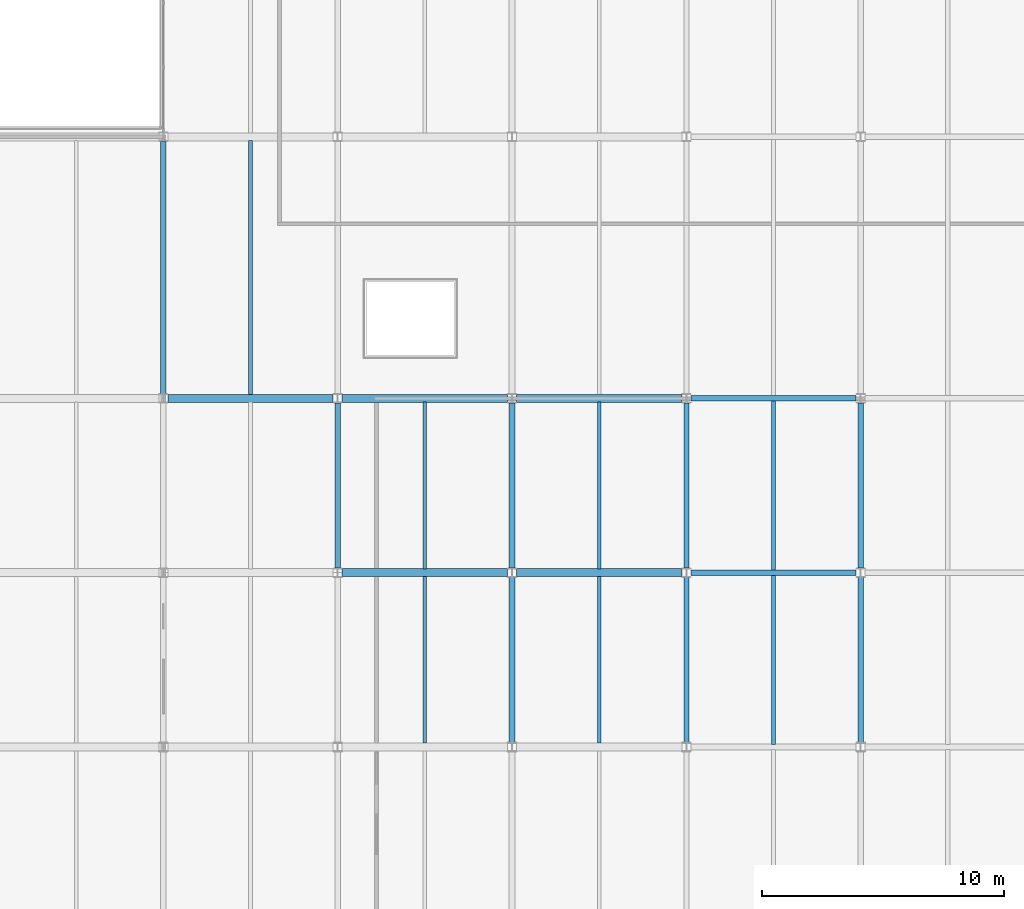
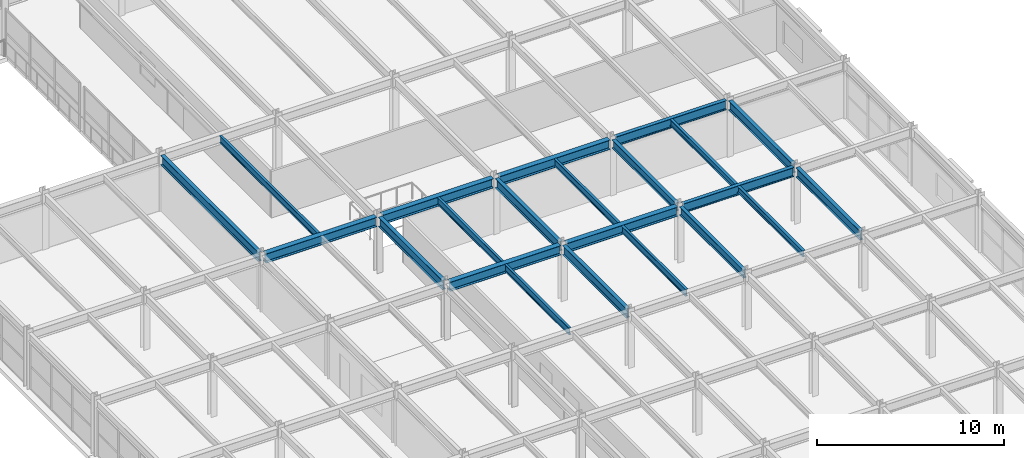
# One storey, part 35 of 93: 22 beams.
"""IFC4 building model written with IfcOpenShell, lengths in metres."""

import ifcopenshell
import ifcopenshell.guid

model = None  # the IFC model being written
_history = None  # IfcOwnerHistory: only IFC2X3 demands one
_inside = {}  # id of a spatial element -> (the spatial element, [elements in it])
_under = {}  # id of a project, library or spatial element -> (it, [spatial elements below it])
_declared = {}  # id of a project -> (the project, [libraries it declares])
_typed = {}  # id of a type object -> (the type object, [elements of that type])
_made_of = {}  # id of a material, layer set ... -> (it, [elements and type objects made of it])


def new_model(schema):
    """Start an empty IFC model of exactly this schema.

    Asked for "IFC4X3", IfcOpenShell would pick the latest addendum, in which some entities
    have other attributes; the version numbers below select the first issue.
    IFC2X3 requires an IfcOwnerHistory on every rooted entity: one is made here for all.
    """
    global model, _history
    if schema == "IFC4X3":
        model = ifcopenshell.file(schema_version=(4, 3, 0, 0))
    else:
        model = ifcopenshell.file(schema=schema)
    _inside.clear()
    _under.clear()
    _declared.clear()
    _typed.clear()
    _made_of.clear()
    _history = None
    if model.schema == "IFC2X3":
        org = make("IfcOrganization", Name="unknown")
        user = make(
            "IfcPersonAndOrganization",
            ThePerson=make("IfcPerson", FamilyName="unknown"),
            TheOrganization=org,
        )
        app = make(
            "IfcApplication",
            ApplicationDeveloper=org,
            Version="unknown",
            ApplicationFullName="unknown",
            ApplicationIdentifier="unknown",
        )
        _history = make(
            "IfcOwnerHistory",
            OwningUser=user,
            OwningApplication=app,
            ChangeAction="ADDED",
            CreationDate=0,
        )
    return model


def make(cls, **values):
    """One entity of the class cls with the attributes given. An attribute that is None is left unset."""
    return model.create_entity(
        cls, **{name: value for name, value in values.items() if value is not None}
    )


def rooted(cls, **values):
    """An entity with a GlobalId (a new one), such as an element, a storey or a relation."""
    return make(cls, GlobalId=ifcopenshell.guid.new(), OwnerHistory=_history, **values)


def si_unit(unit_type, name, prefix=None):
    """IfcSIUnit, for example si_unit("LENGTHUNIT", "METRE", prefix="MILLI")."""
    return make("IfcSIUnit", UnitType=unit_type, Prefix=prefix, Name=name)


def assignment(units):
    """IfcUnitAssignment: the units of a project."""
    return None if units is None else make("IfcUnitAssignment", Units=units)


def point(xyz):
    """IfcCartesianPoint."""
    return None if xyz is None else make("IfcCartesianPoint", Coordinates=xyz)


def direction(xyz):
    """IfcDirection."""
    return None if xyz is None else make("IfcDirection", DirectionRatios=xyz)


def frame(location, z_axis=None, x_axis=None):
    """IfcAxis2Placement3D, a coordinate frame: its origin and axes. An axis left out is left unset."""
    return make(
        "IfcAxis2Placement3D",
        Location=point(location),
        Axis=direction(z_axis),
        RefDirection=direction(x_axis),
    )


def frame_2d(location, x_axis=None):
    """IfcAxis2Placement2D, a coordinate frame in the plane: its origin and x axis."""
    return make(
        "IfcAxis2Placement2D", Location=point(location), RefDirection=direction(x_axis)
    )


def origin():
    """The frame at (0, 0, 0) with its axes left unset."""
    return frame((0.0, 0.0, 0.0))


def origin_2d():
    """The frame at (0, 0) in the plane with its x axis left unset."""
    return frame_2d((0.0, 0.0))


def place(relative_to, where):
    """IfcLocalPlacement: puts the frame where relative to a parent placement (None: the world)."""
    return make(
        "IfcLocalPlacement", PlacementRelTo=relative_to, RelativePlacement=where
    )


def context(
    kind, dimensions, precision=None, world=None, true_north=None, identifier=None
):
    """IfcGeometricRepresentationContext, for example the 3D "Model" context."""
    return make(
        "IfcGeometricRepresentationContext",
        ContextIdentifier=identifier,
        ContextType=kind,
        CoordinateSpaceDimension=dimensions,
        Precision=precision,
        WorldCoordinateSystem=world,
        TrueNorth=true_north,
    )


def subcontext(parent, identifier, kind, view, scale=None):
    """IfcGeometricRepresentationSubContext, for example "Body" below "Model"."""
    return make(
        "IfcGeometricRepresentationSubContext",
        ContextIdentifier=identifier,
        ContextType=kind,
        ParentContext=parent,
        TargetScale=scale,
        TargetView=view,
    )


def project(units=None, contexts=None):
    """IfcProject with its units and contexts."""
    return rooted(
        "IfcProject",
        Name="project",
        RepresentationContexts=contexts,
        UnitsInContext=assignment(units),
    )


def spatial(cls, under=None, at=None, **own):
    """A site, building, storey or space (cls), placed at a placement, below another one or the project."""
    s = rooted(cls, ObjectPlacement=at, **own)
    if under is not None:
        _under.setdefault(under.id(), (under, []))[1].append(s)
    return s


def profile(cls, at=None, kind="AREA", **sizes):
    """A parametric profile (cls). Its sizes go by their IFC names, for example OverallWidth=200.0."""
    return make(cls, ProfileType=kind, Position=at, **sizes)


def i_section(**sizes):
    """IfcIShapeProfileDef."""
    return profile("IfcIShapeProfileDef", **sizes)


def extrude(swept, where, along, depth):
    """IfcExtrudedAreaSolid: the profile swept, set in the frame where, extruded along a direction by depth."""
    return make(
        "IfcExtrudedAreaSolid",
        SweptArea=swept,
        Position=where,
        ExtrudedDirection=direction(along),
        Depth=depth,
    )


def shape(context_of_items, identifier, shape_type, items):
    """IfcShapeRepresentation: the items that make up one representation, for example the "Body"."""
    return make(
        "IfcShapeRepresentation",
        ContextOfItems=context_of_items,
        RepresentationIdentifier=identifier,
        RepresentationType=shape_type,
        Items=items,
    )


def material(Name=None, Category=None):
    """IfcMaterial."""
    return make("IfcMaterial", Name=Name, Category=Category)


def material_profile(
    of_material, cross_section, Name=None, Category=None, Priority=None
):
    """IfcMaterialProfile: a cross section and its material."""
    return make(
        "IfcMaterialProfile",
        Name=Name,
        Material=of_material,
        Profile=cross_section,
        Priority=Priority,
        Category=Category,
    )


def profile_set(profiles, Name=None, composite=None):
    """IfcMaterialProfileSet."""
    return make(
        "IfcMaterialProfileSet",
        Name=Name,
        MaterialProfiles=profiles,
        CompositeProfile=composite,
    )


def made_of(thing, what):
    """Note that an element or type object is made of a material, layer set ...; save() writes the relation."""
    if what is not None:
        _made_of.setdefault(what.id(), (what, []))[1].append(thing)
    return thing


def type_object(cls, material=None, **own):
    """A type object (cls), such as IfcWallType, which elements share."""
    return made_of(rooted(cls, **own), material)


def element(
    cls,
    number,
    at=None,
    inside=None,
    cuts=None,
    type_object=None,
    material=None,
    context=None,
    identifier="Body",
    shape_type=None,
    held_by="IfcProductDefinitionShape",
    body=None,
    shapes=None,
    **own,
):
    """One element of the class cls, such as IfcWall. Its Tag is "e" and its number.

    at: its placement. inside: the storey or other place that contains it. cuts: it is an
    opening in that element (IfcRelVoidsElement). A single representation is given by context,
    identifier, shape_type and body (its items); several are given by shapes. held_by: the class
    of the entity that holds the representations. save() writes the other relations.
    """
    e = rooted(cls, Tag="e%d" % number, ObjectPlacement=at, **own)
    if body is not None:
        shapes = [shape(context, identifier, shape_type, body)]
    if shapes is not None:
        e.Representation = make(held_by, Representations=shapes)
    if inside is not None:
        _inside.setdefault(inside.id(), (inside, []))[1].append(e)
    if cuts is not None:
        rooted(
            "IfcRelVoidsElement", RelatingBuildingElement=cuts, RelatedOpeningElement=e
        )
    if type_object is not None:
        _typed.setdefault(type_object.id(), (type_object, []))[1].append(e)
    return made_of(e, material)


def aggregate(whole, parts):
    """IfcRelAggregates: a whole, such as a stair, and the parts it consists of."""
    return rooted("IfcRelAggregates", RelatingObject=whole, RelatedObjects=parts)


def save(model, path):
    """Write the relations noted so far, then the file.

    IfcRelAggregates (storeys below a building ...), IfcRelContainedInSpatialStructure (elements
    in a storey), IfcRelDefinesByType, IfcRelAssociatesMaterial and IfcRelDeclares: one each for
    every whole, place, type object, material and project.
    """
    for whole, parts in _under.values():
        aggregate(whole, parts)
    for where, things in _inside.values():
        rooted(
            "IfcRelContainedInSpatialStructure",
            RelatedElements=things,
            RelatingStructure=where,
        )
    for kind, things in _typed.values():
        rooted("IfcRelDefinesByType", RelatedObjects=things, RelatingType=kind)
    for what, things in _made_of.values():
        rooted("IfcRelAssociatesMaterial", RelatedObjects=things, RelatingMaterial=what)
    for by, libraries in _declared.values():
        rooted("IfcRelDeclares", RelatingContext=by, RelatedDefinitions=libraries)
    model.write(path)


model = new_model("IFC4")

# Units and contexts
model_context = context("Model", 3, precision=1e-05, world=origin(), true_north=direction((0.0, 1.0)))
body_context = subcontext(model_context, "Body", "Model", "MODEL_VIEW")
ifc_project = project(units=[si_unit("LENGTHUNIT", "METRE"), si_unit("AREAUNIT", "SQUARE_METRE"), si_unit("VOLUMEUNIT", "CUBIC_METRE"), si_unit("PLANEANGLEUNIT", "RADIAN"), si_unit("MASSUNIT", "GRAM", prefix="KILO")], contexts=[model_context])

# Site, building, storey
site_placement = place(None, origin())
site = spatial("IfcSite", under=ifc_project, at=site_placement, CompositionType="ELEMENT")
building_placement = place(site_placement, origin())
building = spatial("IfcBuilding", under=site, at=building_placement, Name="Vaelcorin Mobility Hub", CompositionType="ELEMENT")
storey_placement = place(building_placement, frame((0.0, 0.0, 5.39990234375)))
storey = spatial("IfcBuildingStorey", under=building, at=storey_placement, Name="L01", CompositionType="ELEMENT", Elevation=5.39990234375)

# Beams
ifc_material = material(Name="Steel ASTM A992 Grade 50", Category="steel")
ifc_material_profile_1 = material_profile(ifc_material, i_section(OverallWidth=0.177978515625, OverallDepth=0.404052734375, WebThickness=0.007568359375, FlangeThickness=0.010986328125, FilletRadius=0.012939453125, at=origin_2d()), Name="W16X36")
ifc_profile_set_1 = profile_set([ifc_material_profile_1], Name="Steel ASTM A992 Grade 50")
beam_type_1 = type_object("IfcBeamType", Name="BM-W16X36", PredefinedType="JOIST", material=ifc_profile_set_1)
for number, where, z_axis, x_axis, name in (
    (1, (193.199951171875, 34.912109375, 3.498046875), (0.0, 1.0, 0.0), (-1.0, 0.0, 0.0), "L01 Beam V5E-L01-J-01-05-1"),
    (2, (193.199951171875, 42.112060546875, 3.498046875), (0.0, 1.0, 0.0), (-1.0, 0.0, 0.0), "L01 Beam V5E-L01-J-01-06-1"),
):
    element("IfcBeam", number, at=place(storey_placement, frame(where, z_axis=z_axis, x_axis=x_axis)), inside=storey, type_object=beam_type_1, Name=name, PredefinedType="JOIST", context=body_context, shape_type="SweptSolid", body=[
        extrude(i_section(OverallWidth=0.177978515625, OverallDepth=0.404052734375, WebThickness=0.007568359375, FlangeThickness=0.010986328125, FilletRadius=0.012939453125, at=origin_2d()), origin(), (0.0, 0.0, 1.0), 6.975830078125),
    ])
ifc_material_profile_2 = material_profile(ifc_material, i_section(OverallWidth=0.152099609375, OverallDepth=0.455078125, WebThickness=0.008056640625, FlangeThickness=0.01318359375, FilletRadius=0.012939453125, at=origin_2d()), Name="W18X40")
ifc_profile_set_2 = profile_set([ifc_material_profile_2], Name="Steel ASTM A992 Grade 50")
beam_type_2 = type_object("IfcBeamType", Name="BM-W18X40", PredefinedType="JOIST", material=ifc_profile_set_2)
beam_1_placement = place(storey_placement, frame((171.60009765625, 49.360107421875, 3.443115234375), z_axis=(0.0, 1.0, 0.0), x_axis=(-1.0, 0.0, 0.0)))
element("IfcBeam", 3, at=beam_1_placement, inside=storey, type_object=beam_type_2, Name="L01 Beam V5-L01-J-03-07-1", PredefinedType="JOIST", context=body_context, shape_type="SweptSolid", body=[
    extrude(i_section(OverallWidth=0.152099609375, OverallDepth=0.455078125, WebThickness=0.008056640625, FlangeThickness=0.01318359375, FilletRadius=0.012939453125, at=origin_2d()), origin(), (0.0, 0.0, 1.0), 10.47998046875),
])
for number, where, z_axis, x_axis, name in (
    (4, (178.800048828125, 34.9599609375, 3.443115234375), (0.0, 1.0, 0.0), (-1.0, 0.0, 0.0), "L01 Beam V5-L01-J-04-05-1"),
    (5, (178.800048828125, 42.159912109375, 3.443115234375), (0.0, 1.0, 0.0), (-1.0, 0.0, 0.0), "L01 Beam V5-L01-J-04-06-1"),
    (6, (186.0, 34.9599609375, 3.443115234375), (0.0, 1.0, 0.0), (-1.0, 0.0, 0.0), "L01 Beam V5-L01-J-05-05-1"),
    (7, (186.0, 42.159912109375, 3.443115234375), (0.0, 1.0, 0.0), (-1.0, 0.0, 0.0), "L01 Beam V5-L01-J-05-06-1"),
):
    element("IfcBeam", number, at=place(storey_placement, frame(where, z_axis=z_axis, x_axis=x_axis)), inside=storey, type_object=beam_type_2, Name=name, PredefinedType="JOIST", context=body_context, shape_type="SweptSolid", body=[
        extrude(i_section(OverallWidth=0.152099609375, OverallDepth=0.455078125, WebThickness=0.008056640625, FlangeThickness=0.01318359375, FilletRadius=0.012939453125, at=origin_2d()), origin(), (0.0, 0.0, 1.0), 6.880126953125),
    ])
ifc_material_profile_3 = material_profile(ifc_material, i_section(OverallWidth=0.2099609375, OverallDepth=0.535888671875, WebThickness=0.010986328125, FlangeThickness=0.017333984375, FilletRadius=0.013916015625, at=origin_2d()), Name="W21X68")
ifc_profile_set_3 = profile_set([ifc_material_profile_3], Name="Steel ASTM A992 Grade 50")
beam_type_3 = type_object("IfcBeamType", Name="BM-W21X68", PredefinedType="SPANDREL", material=ifc_profile_set_3)
for number, where, z_axis, x_axis, name in (
    (8, (189.60009765625, 34.98388671875, 3.402099609375), (0.0, 1.0, 0.0), (-1.0, 0.0, 0.0), "L01 Beam V5-L01-GY-06-05"),
    (9, (189.60009765625, 42.18408203125, 3.402099609375), (0.0, 1.0, 0.0), (-1.0, 0.0, 0.0), "L01 Beam V5-L01-GY-06-06"),
):
    element("IfcBeam", number, at=place(storey_placement, frame(where, z_axis=z_axis, x_axis=x_axis)), inside=storey, type_object=beam_type_3, Name=name, PredefinedType="SPANDREL", context=body_context, shape_type="SweptSolid", body=[
        extrude(i_section(OverallWidth=0.2099609375, OverallDepth=0.535888671875, WebThickness=0.010986328125, FlangeThickness=0.017333984375, FilletRadius=0.013916015625, at=origin_2d()), origin(), (0.0, 0.0, 1.0), 6.83203125),
    ])
ifc_material_profile_4 = material_profile(ifc_material, i_section(OverallWidth=0.324951171875, OverallDepth=0.612060546875, WebThickness=0.0126953125, FlangeThickness=0.01904296875, FilletRadius=0.014892578125, at=origin_2d()), Name="W24X104")
ifc_profile_set_4 = profile_set([ifc_material_profile_4], Name="Steel ASTM A992 Grade 50")
beam_type_4 = type_object("IfcBeamType", Name="BM-W24X104", PredefinedType="BEAM", material=ifc_profile_set_4)
beam_2_placement = place(storey_placement, frame((175.384033203125, 42.0, 3.364013671875), z_axis=(1.0, 0.0, 0.0), x_axis=(0.0, 1.0, 0.0)))
element("IfcBeam", 10, at=beam_2_placement, inside=storey, type_object=beam_type_4, Name="L01 Beam V5-L01-GX-06-04", PredefinedType="BEAM", context=body_context, shape_type="SweptSolid", body=[
    extrude(i_section(OverallWidth=0.324951171875, OverallDepth=0.612060546875, WebThickness=0.0126953125, FlangeThickness=0.01904296875, FilletRadius=0.014892578125, at=origin_2d()), origin(), (0.0, 0.0, 1.0), 6.83203125),
])
beam_3_placement = place(storey_placement, frame((182.5849609375, 42.0, 3.364013671875), z_axis=(1.0, 0.0, 0.0), x_axis=(0.0, 1.0, 0.0)))
element("IfcBeam", 11, at=beam_3_placement, inside=storey, type_object=beam_type_4, Name="L01 Beam V5-L01-GX-06-05", PredefinedType="BEAM", context=body_context, shape_type="SweptSolid", body=[
    extrude(i_section(OverallWidth=0.324951171875, OverallDepth=0.612060546875, WebThickness=0.0126953125, FlangeThickness=0.01904296875, FilletRadius=0.014892578125, at=origin_2d()), origin(), (0.0, 0.0, 1.0), 6.830078125),
])
beam_4_placement = place(storey_placement, frame((168.18408203125, 49.199951171875, 3.364013671875), z_axis=(1.0, 0.0, 0.0), x_axis=(0.0, 1.0, 0.0)))
element("IfcBeam", 12, at=beam_4_placement, inside=storey, type_object=beam_type_4, Name="L01 Beam V5-L01-GX-07-03", PredefinedType="BEAM", context=body_context, shape_type="SweptSolid", body=[
    extrude(i_section(OverallWidth=0.324951171875, OverallDepth=0.612060546875, WebThickness=0.0126953125, FlangeThickness=0.01904296875, FilletRadius=0.014892578125, at=origin_2d()), origin(), (0.0, 0.0, 1.0), 6.830810546875),
])
beam_5_placement = place(storey_placement, frame((175.384033203125, 49.199951171875, 3.364013671875), z_axis=(1.0, 0.0, 0.0), x_axis=(0.0, 1.0, 0.0)))
element("IfcBeam", 13, at=beam_5_placement, inside=storey, type_object=beam_type_4, Name="L01 Beam V5-L01-GX-07-04", PredefinedType="BEAM", context=body_context, shape_type="SweptSolid", body=[
    extrude(i_section(OverallWidth=0.324951171875, OverallDepth=0.612060546875, WebThickness=0.0126953125, FlangeThickness=0.01904296875, FilletRadius=0.014892578125, at=origin_2d()), origin(), (0.0, 0.0, 1.0), 6.83203125),
])
beam_6_placement = place(storey_placement, frame((182.5849609375, 49.199951171875, 3.364013671875), z_axis=(1.0, 0.0, 0.0), x_axis=(0.0, 1.0, 0.0)))
element("IfcBeam", 14, at=beam_6_placement, inside=storey, type_object=beam_type_4, Name="L01 Beam V5-L01-GX-07-05", PredefinedType="BEAM", context=body_context, shape_type="SweptSolid", body=[
    extrude(i_section(OverallWidth=0.324951171875, OverallDepth=0.612060546875, WebThickness=0.0126953125, FlangeThickness=0.01904296875, FilletRadius=0.014892578125, at=origin_2d()), origin(), (0.0, 0.0, 1.0), 6.830078125),
])
ifc_material_profile_5 = material_profile(ifc_material, i_section(OverallWidth=0.22802734375, OverallDepth=0.60205078125, WebThickness=0.010498046875, FlangeThickness=0.014892578125, FilletRadius=0.014892578125, at=origin_2d()), Name="W24X68")
ifc_profile_set_5 = profile_set([ifc_material_profile_5], Name="Steel ASTM A992 Grade 50")
beam_type_5 = type_object("IfcBeamType", Name="BM-W24X68", PredefinedType="SPANDREL", material=ifc_profile_set_5)
for number, where, z_axis, x_axis, name in (
    (15, (196.800048828125, 34.98388671875, 3.399169921875), (0.0, 1.0, 0.0), (-1.0, 0.0, 0.0), "L01 Beam V5E-L01-GY-02-05"),
    (16, (196.800048828125, 42.18408203125, 3.399169921875), (0.0, 1.0, 0.0), (-1.0, 0.0, 0.0), "L01 Beam V5E-L01-GY-02-06"),
):
    element("IfcBeam", number, at=place(storey_placement, frame(where, z_axis=z_axis, x_axis=x_axis)), inside=storey, type_object=beam_type_5, Name=name, PredefinedType="SPANDREL", context=body_context, shape_type="SweptSolid", body=[
        extrude(i_section(OverallWidth=0.22802734375, OverallDepth=0.60205078125, WebThickness=0.010498046875, FlangeThickness=0.014892578125, FilletRadius=0.014892578125, at=origin_2d()), origin(), (0.0, 0.0, 1.0), 6.83203125),
    ])
ifc_material_profile_6 = material_profile(ifc_material, i_section(OverallWidth=0.22900390625, OverallDepth=0.612060546875, WebThickness=0.011962890625, FlangeThickness=0.01953125, FilletRadius=0.014892578125, at=origin_2d()), Name="W24X84")
ifc_profile_set_6 = profile_set([ifc_material_profile_6], Name="Steel ASTM A992 Grade 50")
beam_type_6 = type_object("IfcBeamType", Name="BM-W24X84", PredefinedType="BEAM", material=ifc_profile_set_6)
beam_7_placement = place(storey_placement, frame((168.0, 49.384033203125, 3.364013671875), z_axis=(0.0, 1.0, 0.0), x_axis=(-1.0, 0.0, 0.0)))
element("IfcBeam", 17, at=beam_7_placement, inside=storey, type_object=beam_type_6, Name="L01 Beam V5-L01-GY-03-07", PredefinedType="BEAM", context=body_context, shape_type="SweptSolid", body=[
    extrude(i_section(OverallWidth=0.22900390625, OverallDepth=0.612060546875, WebThickness=0.011962890625, FlangeThickness=0.01953125, FilletRadius=0.014892578125, at=origin_2d()), origin(), (0.0, 0.0, 1.0), 10.431884765625),
])
for number, where, z_axis, x_axis, name in (
    (18, (175.199951171875, 42.18408203125, 3.364013671875), (0.0, 1.0, 0.0), (-1.0, 0.0, 0.0), "L01 Beam V5-L01-GY-04-06"),
    (19, (182.39990234375, 34.98388671875, 3.364013671875), (0.0, 1.0, 0.0), (-1.0, 0.0, 0.0), "L01 Beam V5-L01-GY-05-05"),
    (20, (182.39990234375, 42.18408203125, 3.364013671875), (0.0, 1.0, 0.0), (-1.0, 0.0, 0.0), "L01 Beam V5-L01-GY-05-06"),
    (21, (189.783935546875, 42.0, 3.39404296875), (1.0, 0.0, 0.0), (0.0, 1.0, 0.0), "L01 Beam V5E-L01-GX-06-01"),
    (22, (189.783935546875, 49.199951171875, 3.39404296875), (1.0, 0.0, 0.0), (0.0, 1.0, 0.0), "L01 Beam V5E-L01-GX-07-01"),
):
    element("IfcBeam", number, at=place(storey_placement, frame(where, z_axis=z_axis, x_axis=x_axis)), inside=storey, type_object=beam_type_6, Name=name, PredefinedType="BEAM", context=body_context, shape_type="SweptSolid", body=[
        extrude(i_section(OverallWidth=0.22900390625, OverallDepth=0.612060546875, WebThickness=0.011962890625, FlangeThickness=0.01953125, FilletRadius=0.014892578125, at=origin_2d()), origin(), (0.0, 0.0, 1.0), 6.83203125),
    ])

save(model, "model.ifc")
